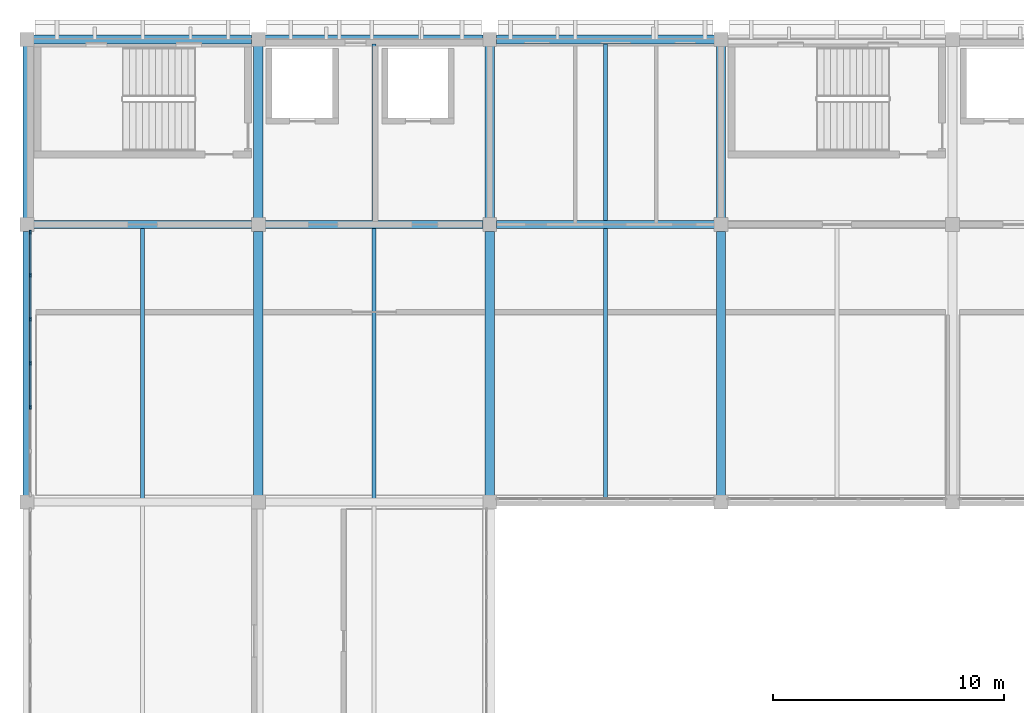
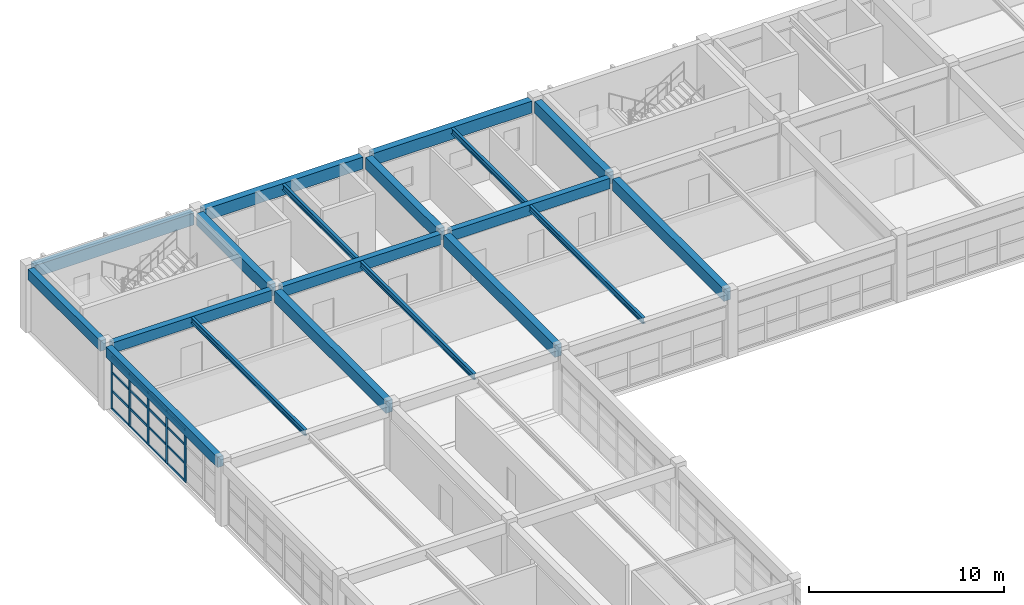
# One storey, part 13 of 28: 21 members, 19 beams, 1 element without a shape of its own.
"""IFC4 building model written with IfcOpenShell, lengths in metres."""

from ifc_helpers import new_model, si_unit, direction, frame, origin, origin_2d, place, context, subcontext, project, spatial, rectangle, i_section, extrude, material, layer, layer_set, material_profile, profile_set, type_object, element, aggregate, save


model = new_model("IFC4")

# Units and contexts
model_context = context("Model", 3, precision=1e-05, world=origin(), true_north=direction((0.0, 1.0)))
body_context = subcontext(model_context, "Body", "Model", "MODEL_VIEW")
ifc_project = project(units=[si_unit("LENGTHUNIT", "METRE"), si_unit("AREAUNIT", "SQUARE_METRE"), si_unit("VOLUMEUNIT", "CUBIC_METRE"), si_unit("PLANEANGLEUNIT", "RADIAN"), si_unit("MASSUNIT", "GRAM", prefix="KILO")], contexts=[model_context])

# Site, building, storey
site_placement = place(None, origin())
site = spatial("IfcSite", under=ifc_project, at=site_placement, CompositionType="ELEMENT")
building_placement = place(site_placement, origin())
building = spatial("IfcBuilding", under=site, at=building_placement, Name="Kivolera Central Railway Station", CompositionType="ELEMENT")
storey_placement = place(building_placement, frame((0.0, 0.0, 18.60009765625)))
storey = spatial("IfcBuildingStorey", under=building, at=storey_placement, Name="L04", CompositionType="ELEMENT", Elevation=18.60009765625)

# Beams
ifc_material_1 = material(Name="Steel S355", Category="steel")
ifc_material_profile_1 = material_profile(ifc_material_1, i_section(OverallWidth=0.169921875, OverallDepth=0.360107421875, WebThickness=0.008056640625, FlangeThickness=0.0126953125, FilletRadius=0.01806640625, at=origin_2d()), Name="IPE 360")
ifc_profile_set_1 = profile_set([ifc_material_profile_1], Name="Steel S355")
beam_type_1 = type_object("IfcBeamType", Name="BM-JST-IPE360", PredefinedType="JOIST", material=ifc_profile_set_1)
for number, where, z_axis, x_axis, name in (
    (1, (123.0, 114.1669921875, 3.7578125), (0.0, 1.0, 0.0), (-1.0, 0.0, 0.0), "L04 Floor Joist 12-13/K-L"),
    (2, (133.0, 114.1669921875, 3.7578125), (0.0, 1.0, 0.0), (-1.0, 0.0, 0.0), "L04 Floor Joist 13-14/K-L"),
):
    element("IfcBeam", number, at=place(storey_placement, frame(where, z_axis=z_axis, x_axis=x_axis)), inside=storey, type_object=beam_type_1, Name=name, PredefinedType="JOIST", context=body_context, shape_type="SweptSolid", body=[
        extrude(i_section(OverallWidth=0.169921875, OverallDepth=0.360107421875, WebThickness=0.008056640625, FlangeThickness=0.0126953125, FilletRadius=0.01806640625, at=origin_2d()), origin(), (0.0, 0.0, 1.0), 11.666015625),
    ])
beam_1_placement = place(storey_placement, frame((133.0, 126.1669921875, 3.7578125), z_axis=(0.0, 1.0, 0.0), x_axis=(-1.0, 0.0, 0.0)))
element("IfcBeam", 3, at=beam_1_placement, inside=storey, type_object=beam_type_1, Name="L04 Floor Joist 13-14/L-M", PredefinedType="JOIST", context=body_context, shape_type="SweptSolid", body=[
    extrude(i_section(OverallWidth=0.169921875, OverallDepth=0.360107421875, WebThickness=0.008056640625, FlangeThickness=0.0126953125, FilletRadius=0.01806640625, at=origin_2d()), origin(), (0.0, 0.0, 1.0), 7.64111328125),
])
beam_2_placement = place(storey_placement, frame((143.0, 114.1669921875, 3.7578125), z_axis=(0.0, 1.0, 0.0), x_axis=(-1.0, 0.0, 0.0)))
element("IfcBeam", 4, at=beam_2_placement, inside=storey, type_object=beam_type_1, Name="L04 Floor Joist 14-15/K-L", PredefinedType="JOIST", context=body_context, shape_type="SweptSolid", body=[
    extrude(i_section(OverallWidth=0.169921875, OverallDepth=0.360107421875, WebThickness=0.008056640625, FlangeThickness=0.0126953125, FilletRadius=0.01806640625, at=origin_2d()), origin(), (0.0, 0.0, 1.0), 11.666015625),
])
beam_3_placement = place(storey_placement, frame((143.0, 126.1669921875, 3.7578125), z_axis=(0.0, 1.0, 0.0), x_axis=(-1.0, 0.0, 0.0)))
element("IfcBeam", 5, at=beam_3_placement, inside=storey, type_object=beam_type_1, Name="L04 Floor Joist 14-15/L-M", PredefinedType="JOIST", context=body_context, shape_type="SweptSolid", body=[
    extrude(i_section(OverallWidth=0.169921875, OverallDepth=0.360107421875, WebThickness=0.008056640625, FlangeThickness=0.0126953125, FilletRadius=0.01806640625, at=origin_2d()), origin(), (0.0, 0.0, 1.0), 7.64111328125),
])
ifc_material_2 = material(Name="Concrete C40/50", Category="concrete")
ifc_material_profile_2 = material_profile(ifc_material_2, rectangle(XDim=0.35009765625, YDim=0.64990234375, at=origin_2d()), Name="RC 350x650")
ifc_profile_set_2 = profile_set([ifc_material_profile_2], Name="Concrete C40/50")
beam_type_2 = type_object("IfcBeamType", Name="BM-RC-350x650", PredefinedType="BEAM", material=ifc_profile_set_2)
for number, where, z_axis, x_axis, name in (
    (6, (118.2919921875, 126.0, 3.625), (1.0, 0.0, 0.0), (0.0, 1.0, 0.0), "L04 Wing X-Beam L:12-13"),
    (7, (128.2919921875, 126.0, 3.625), (1.0, 0.0, 0.0), (0.0, 1.0, 0.0), "L04 Wing X-Beam L:13-14"),
    (8, (138.2919921875, 126.0, 3.625), (1.0, 0.0, 0.0), (0.0, 1.0, 0.0), "L04 Wing X-Beam L:14-15"),
):
    element("IfcBeam", number, at=place(storey_placement, frame(where, z_axis=z_axis, x_axis=x_axis)), inside=storey, type_object=beam_type_2, Name=name, PredefinedType="BEAM", context=body_context, shape_type="SweptSolid", body=[
        extrude(rectangle(XDim=0.35009765625, YDim=0.64990234375, at=origin_2d()), origin(), (0.0, 0.0, 1.0), 9.416015625),
    ])
ifc_material_profile_3 = material_profile(ifc_material_2, rectangle(XDim=0.39990234375, YDim=0.75, at=origin_2d()), Name="RC 400x750")
ifc_profile_set_3 = profile_set([ifc_material_profile_3], Name="Concrete C40/50")
beam_type_3 = type_object("IfcBeamType", Name="BM-RC-400x750", PredefinedType="BEAM", material=ifc_profile_set_3)
beam_4_placement = place(storey_placement, frame((128.0, 114.2919921875, 3.574951171875), z_axis=(0.0, 1.0, 0.0), x_axis=(-1.0, 0.0, 0.0)))
element("IfcBeam", 9, at=beam_4_placement, inside=storey, type_object=beam_type_3, Name="L04 Wing Y-Beam 13:K-L", PredefinedType="BEAM", context=body_context, shape_type="SweptSolid", body=[
    extrude(rectangle(XDim=0.39990234375, YDim=0.75, at=origin_2d()), origin(), (0.0, 0.0, 1.0), 11.416015625),
])
beam_5_placement = place(storey_placement, frame((128.0, 126.2919921875, 3.574951171875), z_axis=(0.0, 1.0, 0.0), x_axis=(-1.0, 0.0, 0.0)))
element("IfcBeam", 10, at=beam_5_placement, inside=storey, type_object=beam_type_3, Name="L04 Wing Y-Beam 13:L-M", PredefinedType="BEAM", context=body_context, shape_type="SweptSolid", body=[
    extrude(rectangle(XDim=0.39990234375, YDim=0.75, at=origin_2d()), origin(), (0.0, 0.0, 1.0), 7.416015625),
])
beam_6_placement = place(storey_placement, frame((138.0, 114.2919921875, 3.574951171875), z_axis=(0.0, 1.0, 0.0), x_axis=(-1.0, 0.0, 0.0)))
element("IfcBeam", 11, at=beam_6_placement, inside=storey, type_object=beam_type_3, Name="L04 Wing Y-Beam 14:K-L", PredefinedType="BEAM", context=body_context, shape_type="SweptSolid", body=[
    extrude(rectangle(XDim=0.39990234375, YDim=0.75, at=origin_2d()), origin(), (0.0, 0.0, 1.0), 11.416015625),
])
beam_7_placement = place(storey_placement, frame((138.0, 126.2919921875, 3.574951171875), z_axis=(0.0, 1.0, 0.0), x_axis=(-1.0, 0.0, 0.0)))
element("IfcBeam", 12, at=beam_7_placement, inside=storey, type_object=beam_type_3, Name="L04 Wing Y-Beam 14:L-M", PredefinedType="BEAM", context=body_context, shape_type="SweptSolid", body=[
    extrude(rectangle(XDim=0.39990234375, YDim=0.75, at=origin_2d()), origin(), (0.0, 0.0, 1.0), 7.416015625),
])
beam_8_placement = place(storey_placement, frame((148.0, 114.2919921875, 3.574951171875), z_axis=(0.0, 1.0, 0.0), x_axis=(-1.0, 0.0, 0.0)))
element("IfcBeam", 13, at=beam_8_placement, inside=storey, type_object=beam_type_3, Name="L04 Wing Y-Beam 15:K-L", PredefinedType="BEAM", context=body_context, shape_type="SweptSolid", body=[
    extrude(rectangle(XDim=0.39990234375, YDim=0.75, at=origin_2d()), origin(), (0.0, 0.0, 1.0), 11.416015625),
])
beam_9_placement = place(storey_placement, frame((148.0, 126.2919921875, 3.574951171875), z_axis=(0.0, 1.0, 0.0), x_axis=(-1.0, 0.0, 0.0)))
element("IfcBeam", 14, at=beam_9_placement, inside=storey, type_object=beam_type_3, Name="L04 Wing Y-Beam 15:L-M", PredefinedType="BEAM", context=body_context, shape_type="SweptSolid", body=[
    extrude(rectangle(XDim=0.39990234375, YDim=0.75, at=origin_2d()), origin(), (0.0, 0.0, 1.0), 7.416015625),
])
ifc_material_profile_4 = material_profile(ifc_material_2, rectangle(XDim=0.35009765625, YDim=0.64990234375, at=origin_2d()), Name="RC 350x650")
ifc_profile_set_4 = profile_set([ifc_material_profile_4], Name="Concrete C40/50")
beam_type_4 = type_object("IfcBeamType", Name="BM-SPN-RC650", PredefinedType="SPANDREL", material=ifc_profile_set_4)
beam_10_placement = place(storey_placement, frame((118.0, 114.2919921875, 3.625), z_axis=(0.0, 1.0, 0.0), x_axis=(-1.0, 0.0, 0.0)))
element("IfcBeam", 15, at=beam_10_placement, inside=storey, type_object=beam_type_4, Name="L04 Wing Y-Beam 12:K-L", PredefinedType="SPANDREL", context=body_context, shape_type="SweptSolid", body=[
    extrude(rectangle(XDim=0.35009765625, YDim=0.64990234375, at=origin_2d()), origin(), (0.0, 0.0, 1.0), 11.416015625),
])
beam_11_placement = place(storey_placement, frame((118.0, 126.2919921875, 3.625), z_axis=(0.0, 1.0, 0.0), x_axis=(-1.0, 0.0, 0.0)))
element("IfcBeam", 16, at=beam_11_placement, inside=storey, type_object=beam_type_4, Name="L04 Wing Y-Beam 12:L-M", PredefinedType="SPANDREL", context=body_context, shape_type="SweptSolid", body=[
    extrude(rectangle(XDim=0.35009765625, YDim=0.64990234375, at=origin_2d()), origin(), (0.0, 0.0, 1.0), 7.416015625),
])
ifc_material_profile_5 = material_profile(ifc_material_2, rectangle(XDim=0.39990234375, YDim=0.75, at=origin_2d()), Name="RC 400x750")
ifc_profile_set_5 = profile_set([ifc_material_profile_5], Name="Concrete C40/50")
beam_type_5 = type_object("IfcBeamType", Name="BM-SPN-RC750", PredefinedType="SPANDREL", material=ifc_profile_set_5)
for number, where, z_axis, x_axis, name in (
    (17, (118.2919921875, 134.0, 3.574951171875), (1.0, 0.0, 0.0), (0.0, 1.0, 0.0), "L04 Wing X-Beam M:12-13"),
    (18, (128.2919921875, 134.0, 3.574951171875), (1.0, 0.0, 0.0), (0.0, 1.0, 0.0), "L04 Wing X-Beam M:13-14"),
    (19, (138.2919921875, 134.0, 3.574951171875), (1.0, 0.0, 0.0), (0.0, 1.0, 0.0), "L04 Wing X-Beam M:14-15"),
):
    element("IfcBeam", number, at=place(storey_placement, frame(where, z_axis=z_axis, x_axis=x_axis)), inside=storey, type_object=beam_type_5, Name=name, PredefinedType="SPANDREL", context=body_context, shape_type="SweptSolid", body=[
        extrude(rectangle(XDim=0.39990234375, YDim=0.75, at=origin_2d()), origin(), (0.0, 0.0, 1.0), 9.416015625),
    ])

# Curtain wall, members
ifc_material_3 = material(Name="Anodised aluminium", Category="aluminium")
ifc_layer = layer(ifc_material_3, 0.179931640625, Name="Anodised aluminium")
ifc_layer_set = layer_set([ifc_layer], Name="Anodised aluminium")
curtain_wall_type = type_object("IfcCurtainWallType", Name="CW-SYS-33", PredefinedType="NOTDEFINED", material=ifc_layer_set)
curtain_wall_placement = place(storey_placement, origin())
curtain_wall = element("IfcCurtainWall", 20, at=curtain_wall_placement, inside=storey, type_object=curtain_wall_type, Name="L04 Curtain Wall CW-L04-WEST-K", PredefinedType="NOTDEFINED")
ifc_material_profile_6 = material_profile(ifc_material_3, rectangle(XDim=0.070068359375, YDim=0.179931640625, at=origin_2d()), Name="ALU MULL 70x180")
ifc_profile_set_6 = profile_set([ifc_material_profile_6], Name="Anodised aluminium")
member_type_1 = type_object("IfcMemberType", Name="CWM-MUL-1", PredefinedType="MULLION", material=ifc_profile_set_6)
member_1_placement = place(storey_placement, frame((118.14501953125, 118.098388671875, -0.005126953125), z_axis=(0.0, 0.0, 1.0), x_axis=(-1.0, 0.0, 0.0)))
member_1 = element("IfcMember", 21, at=member_1_placement, type_object=member_type_1, Name="CW-33 mullion 3", PredefinedType="MULLION", context=body_context, shape_type="SweptSolid", body=[
    extrude(rectangle(XDim=0.070068359375, YDim=0.179931640625, at=origin_2d()), origin(), (0.0, 0.0, 1.0), 3.29296875),
])
member_2_placement = place(storey_placement, frame((118.14501953125, 120.0, -0.005126953125), z_axis=(0.0, 0.0, 1.0), x_axis=(-1.0, 0.0, 0.0)))
member_2 = element("IfcMember", 22, at=member_2_placement, type_object=member_type_1, Name="CW-33 mullion 4", PredefinedType="MULLION", context=body_context, shape_type="SweptSolid", body=[
    extrude(rectangle(XDim=0.070068359375, YDim=0.179931640625, at=origin_2d()), origin(), (0.0, 0.0, 1.0), 3.29296875),
])
member_3_placement = place(storey_placement, frame((118.14501953125, 121.901611328125, -0.005126953125), z_axis=(0.0, 0.0, 1.0), x_axis=(-1.0, 0.0, 0.0)))
member_3 = element("IfcMember", 23, at=member_3_placement, type_object=member_type_1, Name="CW-33 mullion 5", PredefinedType="MULLION", context=body_context, shape_type="SweptSolid", body=[
    extrude(rectangle(XDim=0.070068359375, YDim=0.179931640625, at=origin_2d()), origin(), (0.0, 0.0, 1.0), 3.29296875),
])
member_4_placement = place(storey_placement, frame((118.14501953125, 123.80322265625, -0.005126953125), z_axis=(0.0, 0.0, 1.0), x_axis=(-1.0, 0.0, 0.0)))
member_4 = element("IfcMember", 24, at=member_4_placement, type_object=member_type_1, Name="CW-33 mullion 6", PredefinedType="MULLION", context=body_context, shape_type="SweptSolid", body=[
    extrude(rectangle(XDim=0.070068359375, YDim=0.179931640625, at=origin_2d()), origin(), (0.0, 0.0, 1.0), 3.29296875),
])
member_5_placement = place(storey_placement, frame((118.14501953125, 125.669921875, -0.005126953125), z_axis=(0.0, 0.0, 1.0), x_axis=(-1.0, 0.0, 0.0)))
member_5 = element("IfcMember", 25, at=member_5_placement, type_object=member_type_1, Name="CW-33 mullion 7", PredefinedType="MULLION", context=body_context, shape_type="SweptSolid", body=[
    extrude(rectangle(XDim=0.070068359375, YDim=0.179931640625, at=origin_2d()), origin(), (0.0, 0.0, 1.0), 3.29296875),
])
ifc_material_profile_7 = material_profile(ifc_material_3, rectangle(XDim=0.070068359375, YDim=0.139892578125, at=origin_2d()), Name="ALU TRAN 70x140")
ifc_profile_set_7 = profile_set([ifc_material_profile_7], Name="Anodised aluminium")
member_type_2 = type_object("IfcMemberType", Name="CWM-TRN-1", PredefinedType="USERDEFINED", material=ifc_profile_set_7)
member_6_placement = place(storey_placement, frame((118.14501953125, 118.13330078125, 0.034912109375), z_axis=(0.0, 1.0, 0.0), x_axis=(-1.0, 0.0, 0.0)))
member_6 = element("IfcMember", 26, at=member_6_placement, type_object=member_type_2, Name="CW-33 transom 3.1", ObjectType="TRANSOM", PredefinedType="USERDEFINED", context=body_context, shape_type="SweptSolid", body=[
    extrude(rectangle(XDim=0.070068359375, YDim=0.139892578125, at=origin_2d()), origin(), (0.0, 0.0, 1.0), 1.831787109375),
])
member_7_placement = place(storey_placement, frame((118.14501953125, 118.13330078125, 1.150634765625), z_axis=(0.0, 1.0, 0.0), x_axis=(-1.0, 0.0, 0.0)))
member_7 = element("IfcMember", 27, at=member_7_placement, type_object=member_type_2, Name="CW-33 transom 3.2", ObjectType="TRANSOM", PredefinedType="USERDEFINED", context=body_context, shape_type="SweptSolid", body=[
    extrude(rectangle(XDim=0.070068359375, YDim=0.139892578125, at=origin_2d()), origin(), (0.0, 0.0, 1.0), 1.831787109375),
])
member_8_placement = place(storey_placement, frame((118.14501953125, 118.13330078125, 2.301513671875), z_axis=(0.0, 1.0, 0.0), x_axis=(-1.0, 0.0, 0.0)))
member_8 = element("IfcMember", 28, at=member_8_placement, type_object=member_type_2, Name="CW-33 transom 3.3", ObjectType="TRANSOM", PredefinedType="USERDEFINED", context=body_context, shape_type="SweptSolid", body=[
    extrude(rectangle(XDim=0.070068359375, YDim=0.139892578125, at=origin_2d()), origin(), (0.0, 0.0, 1.0), 1.831787109375),
])
member_9_placement = place(storey_placement, frame((118.14501953125, 118.13330078125, 3.2529296875), z_axis=(0.0, 1.0, 0.0), x_axis=(-1.0, 0.0, 0.0)))
member_9 = element("IfcMember", 29, at=member_9_placement, type_object=member_type_2, Name="CW-33 transom 3.4", ObjectType="TRANSOM", PredefinedType="USERDEFINED", context=body_context, shape_type="SweptSolid", body=[
    extrude(rectangle(XDim=0.070068359375, YDim=0.139892578125, at=origin_2d()), origin(), (0.0, 0.0, 1.0), 1.831787109375),
])
member_10_placement = place(storey_placement, frame((118.14501953125, 120.034912109375, 0.034912109375), z_axis=(0.0, 1.0, 0.0), x_axis=(-1.0, 0.0, 0.0)))
member_10 = element("IfcMember", 30, at=member_10_placement, type_object=member_type_2, Name="CW-33 transom 4.1", ObjectType="TRANSOM", PredefinedType="USERDEFINED", context=body_context, shape_type="SweptSolid", body=[
    extrude(rectangle(XDim=0.070068359375, YDim=0.139892578125, at=origin_2d()), origin(), (0.0, 0.0, 1.0), 1.831787109375),
])
member_11_placement = place(storey_placement, frame((118.14501953125, 120.034912109375, 1.150634765625), z_axis=(0.0, 1.0, 0.0), x_axis=(-1.0, 0.0, 0.0)))
member_11 = element("IfcMember", 31, at=member_11_placement, type_object=member_type_2, Name="CW-33 transom 4.2", ObjectType="TRANSOM", PredefinedType="USERDEFINED", context=body_context, shape_type="SweptSolid", body=[
    extrude(rectangle(XDim=0.070068359375, YDim=0.139892578125, at=origin_2d()), origin(), (0.0, 0.0, 1.0), 1.831787109375),
])
member_12_placement = place(storey_placement, frame((118.14501953125, 120.034912109375, 2.301513671875), z_axis=(0.0, 1.0, 0.0), x_axis=(-1.0, 0.0, 0.0)))
member_12 = element("IfcMember", 32, at=member_12_placement, type_object=member_type_2, Name="CW-33 transom 4.3", ObjectType="TRANSOM", PredefinedType="USERDEFINED", context=body_context, shape_type="SweptSolid", body=[
    extrude(rectangle(XDim=0.070068359375, YDim=0.139892578125, at=origin_2d()), origin(), (0.0, 0.0, 1.0), 1.831787109375),
])
member_13_placement = place(storey_placement, frame((118.14501953125, 120.034912109375, 3.2529296875), z_axis=(0.0, 1.0, 0.0), x_axis=(-1.0, 0.0, 0.0)))
member_13 = element("IfcMember", 33, at=member_13_placement, type_object=member_type_2, Name="CW-33 transom 4.4", ObjectType="TRANSOM", PredefinedType="USERDEFINED", context=body_context, shape_type="SweptSolid", body=[
    extrude(rectangle(XDim=0.070068359375, YDim=0.139892578125, at=origin_2d()), origin(), (0.0, 0.0, 1.0), 1.831787109375),
])
member_14_placement = place(storey_placement, frame((118.14501953125, 121.936767578125, 0.034912109375), z_axis=(0.0, 1.0, 0.0), x_axis=(-1.0, 0.0, 0.0)))
member_14 = element("IfcMember", 34, at=member_14_placement, type_object=member_type_2, Name="CW-33 transom 5.1", ObjectType="TRANSOM", PredefinedType="USERDEFINED", context=body_context, shape_type="SweptSolid", body=[
    extrude(rectangle(XDim=0.070068359375, YDim=0.139892578125, at=origin_2d()), origin(), (0.0, 0.0, 1.0), 1.83154296875),
])
member_15_placement = place(storey_placement, frame((118.14501953125, 121.936767578125, 1.150634765625), z_axis=(0.0, 1.0, 0.0), x_axis=(-1.0, 0.0, 0.0)))
member_15 = element("IfcMember", 35, at=member_15_placement, type_object=member_type_2, Name="CW-33 transom 5.2", ObjectType="TRANSOM", PredefinedType="USERDEFINED", context=body_context, shape_type="SweptSolid", body=[
    extrude(rectangle(XDim=0.070068359375, YDim=0.139892578125, at=origin_2d()), origin(), (0.0, 0.0, 1.0), 1.83154296875),
])
member_16_placement = place(storey_placement, frame((118.14501953125, 121.936767578125, 2.301513671875), z_axis=(0.0, 1.0, 0.0), x_axis=(-1.0, 0.0, 0.0)))
member_16 = element("IfcMember", 36, at=member_16_placement, type_object=member_type_2, Name="CW-33 transom 5.3", ObjectType="TRANSOM", PredefinedType="USERDEFINED", context=body_context, shape_type="SweptSolid", body=[
    extrude(rectangle(XDim=0.070068359375, YDim=0.139892578125, at=origin_2d()), origin(), (0.0, 0.0, 1.0), 1.83154296875),
])
member_17_placement = place(storey_placement, frame((118.14501953125, 121.936767578125, 3.2529296875), z_axis=(0.0, 1.0, 0.0), x_axis=(-1.0, 0.0, 0.0)))
member_17 = element("IfcMember", 37, at=member_17_placement, type_object=member_type_2, Name="CW-33 transom 5.4", ObjectType="TRANSOM", PredefinedType="USERDEFINED", context=body_context, shape_type="SweptSolid", body=[
    extrude(rectangle(XDim=0.070068359375, YDim=0.139892578125, at=origin_2d()), origin(), (0.0, 0.0, 1.0), 1.83154296875),
])
member_18_placement = place(storey_placement, frame((118.14501953125, 123.83837890625, 0.034912109375), z_axis=(0.0, 1.0, 0.0), x_axis=(-1.0, 0.0, 0.0)))
member_18 = element("IfcMember", 38, at=member_18_placement, type_object=member_type_2, Name="CW-33 transom 6.1", ObjectType="TRANSOM", PredefinedType="USERDEFINED", context=body_context, shape_type="SweptSolid", body=[
    extrude(rectangle(XDim=0.070068359375, YDim=0.139892578125, at=origin_2d()), origin(), (0.0, 0.0, 1.0), 1.796630859375),
])
member_19_placement = place(storey_placement, frame((118.14501953125, 123.83837890625, 1.150634765625), z_axis=(0.0, 1.0, 0.0), x_axis=(-1.0, 0.0, 0.0)))
member_19 = element("IfcMember", 39, at=member_19_placement, type_object=member_type_2, Name="CW-33 transom 6.2", ObjectType="TRANSOM", PredefinedType="USERDEFINED", context=body_context, shape_type="SweptSolid", body=[
    extrude(rectangle(XDim=0.070068359375, YDim=0.139892578125, at=origin_2d()), origin(), (0.0, 0.0, 1.0), 1.796630859375),
])
member_20_placement = place(storey_placement, frame((118.14501953125, 123.83837890625, 2.301513671875), z_axis=(0.0, 1.0, 0.0), x_axis=(-1.0, 0.0, 0.0)))
member_20 = element("IfcMember", 40, at=member_20_placement, type_object=member_type_2, Name="CW-33 transom 6.3", ObjectType="TRANSOM", PredefinedType="USERDEFINED", context=body_context, shape_type="SweptSolid", body=[
    extrude(rectangle(XDim=0.070068359375, YDim=0.139892578125, at=origin_2d()), origin(), (0.0, 0.0, 1.0), 1.796630859375),
])
member_21_placement = place(storey_placement, frame((118.14501953125, 123.83837890625, 3.2529296875), z_axis=(0.0, 1.0, 0.0), x_axis=(-1.0, 0.0, 0.0)))
member_21 = element("IfcMember", 41, at=member_21_placement, type_object=member_type_2, Name="CW-33 transom 6.4", ObjectType="TRANSOM", PredefinedType="USERDEFINED", context=body_context, shape_type="SweptSolid", body=[
    extrude(rectangle(XDim=0.070068359375, YDim=0.139892578125, at=origin_2d()), origin(), (0.0, 0.0, 1.0), 1.796630859375),
])
aggregate(curtain_wall, [member_1, member_2, member_3, member_4, member_5, member_6, member_7, member_8, member_9, member_10, member_11, member_12, member_13, member_14, member_15, member_16, member_17, member_18, member_19, member_20, member_21])

save(model, "model.ifc")
